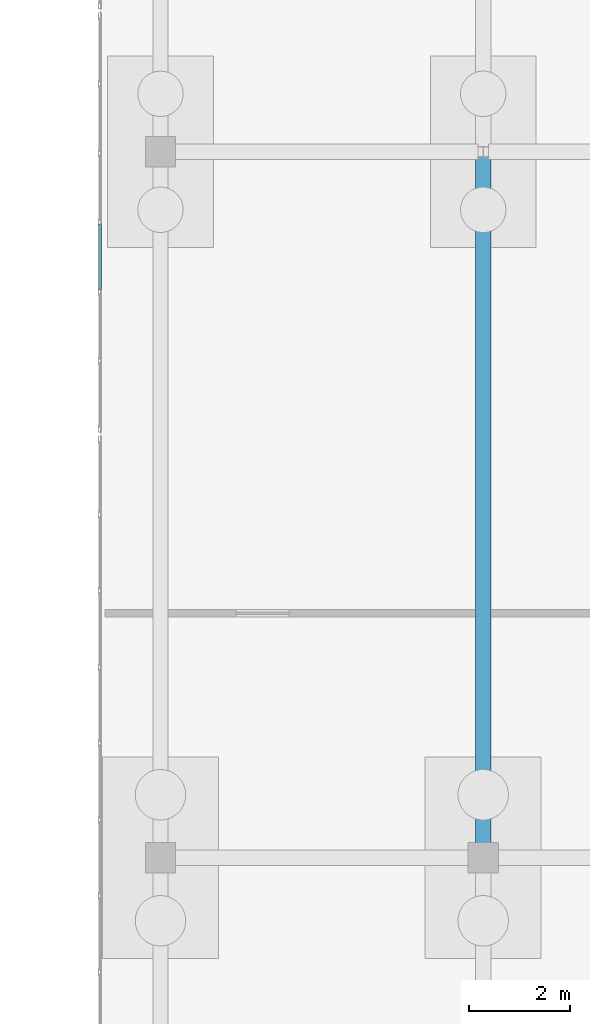
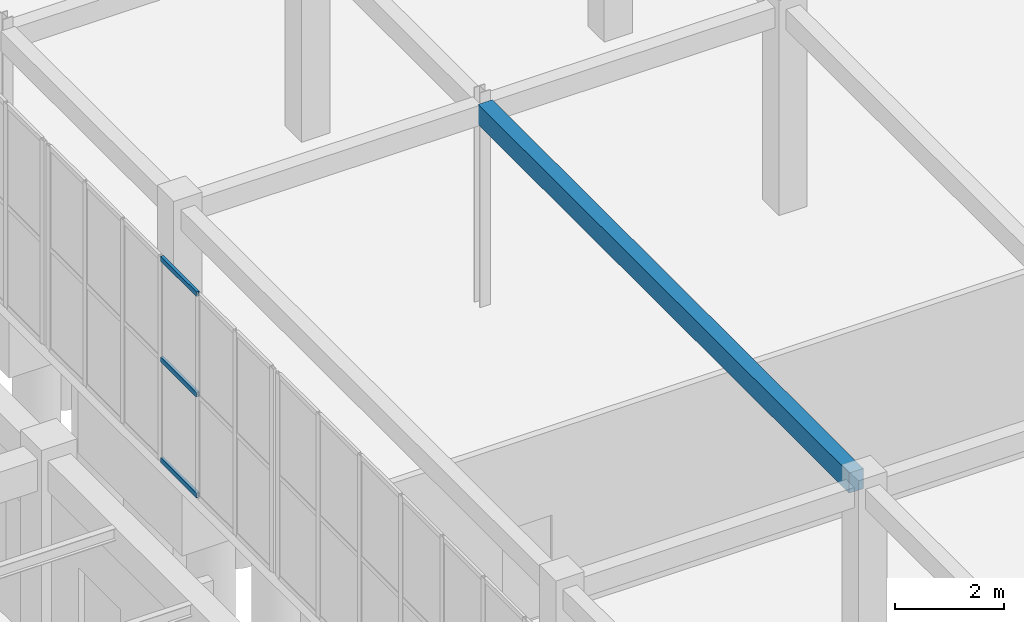
# One storey, part 85 of 192: 3 members, 1 beam, 1 element without a shape of its own.
"""IFC4 building model written with IfcOpenShell, lengths in metres."""

from ifc_helpers import new_model, si_unit, direction, frame, origin, origin_2d, place, context, subcontext, project, spatial, rectangle, hollow_rectangle, extrude, material, layer, layer_set, material_profile, profile_set, type_object, element, aggregate, save


model = new_model("IFC4")

# Units and contexts
model_context = context("Model", 3, precision=1e-05, world=origin(), true_north=direction((0.0, 1.0)))
body_context = subcontext(model_context, "Body", "Model", "MODEL_VIEW")
ifc_project = project(units=[si_unit("LENGTHUNIT", "METRE"), si_unit("AREAUNIT", "SQUARE_METRE"), si_unit("VOLUMEUNIT", "CUBIC_METRE"), si_unit("PLANEANGLEUNIT", "RADIAN"), si_unit("MASSUNIT", "GRAM", prefix="KILO")], contexts=[model_context])

# Site, building, storey
site_placement = place(None, origin())
site = spatial("IfcSite", under=ifc_project, at=site_placement, CompositionType="ELEMENT")
building_placement = place(site_placement, origin())
building = spatial("IfcBuilding", under=site, at=building_placement, Name="Trelvath General Hospital", CompositionType="ELEMENT")
storey_placement = place(building_placement, origin())
storey = spatial("IfcBuildingStorey", under=building, at=storey_placement, Name="L00", CompositionType="ELEMENT", Elevation=0.0)

# Beam
ifc_material_1 = material(Name="Concrete C35/45", Category="concrete")
ifc_material_profile_1 = material_profile(ifc_material_1, rectangle(XDim=0.300048828125, YDim=0.449951171875, at=origin_2d()), Name="RCB300x450")
ifc_profile_set_1 = profile_set([ifc_material_profile_1], Name="Concrete C35/45")
beam_type = type_object("IfcBeamType", Name="Beam RC300x450", PredefinedType="BEAM", material=ifc_profile_set_1)
beam_placement = place(storey_placement, frame((54.39990234375, 59.095947265625, 4.3349609375), z_axis=(0.0, 1.0, 0.0), x_axis=(-1.0, 0.0, 0.0)))
element("IfcBeam", 1, at=beam_placement, inside=storey, type_object=beam_type, Name="Cube Interior Ring Beam CUBE-W-T0 L00", PredefinedType="BEAM", context=body_context, shape_type="SweptSolid", body=[
    extrude(rectangle(XDim=0.300048828125, YDim=0.449951171875, at=origin_2d()), origin(), (0.0, 0.0, 1.0), 13.59814453125),
])

# Curtain wall, members
ifc_material_2 = material(Name="Anodised aluminium and low-E glass", Category="aluminium")
ifc_layer = layer(ifc_material_2, 0.139892578125)
ifc_layer_set = layer_set([ifc_layer], Name="Anodised aluminium and low-E glass")
curtain_wall_type = type_object("IfcCurtainWallType", Name="CW CrystalCube 824 456 14", PredefinedType="USERDEFINED", material=ifc_layer_set)
curtain_wall_placement = place(storey_placement, origin())
curtain_wall = element("IfcCurtainWall", 2, at=curtain_wall_placement, inside=storey, type_object=curtain_wall_type, Name="Crystal Cube Curtain Wall CUBE-W-T0 W5 L00", ObjectType="Unitised Glazed Curtain Wall", PredefinedType="USERDEFINED")
ifc_material_3 = material(Name="Anodised aluminium", Category="aluminium")
ifc_material_profile_2 = material_profile(ifc_material_3, hollow_rectangle(XDim=0.06005859375, YDim=0.110107421875, WallThickness=0.00390625, at=origin_2d()), Name="RHS60x110x4")
ifc_profile_set_2 = profile_set([ifc_material_profile_2], Name="Anodised aluminium")
member_type = type_object("IfcMemberType", Name="CurtainTransom 60x110", PredefinedType="USERDEFINED", material=ifc_profile_set_2)
member_1_placement = place(storey_placement, frame((46.800048828125, 70.056640625, 0.030029296875), z_axis=(0.0, 1.0, 0.0), x_axis=(-1.0, 0.0, 0.0)))
member_1 = element("IfcMember", 3, at=member_1_placement, type_object=member_type, Name="CW-100 transom 3.1", ObjectType="TRANSOM", PredefinedType="USERDEFINED", context=body_context, shape_type="SweptSolid", body=[
    extrude(hollow_rectangle(XDim=0.06005859375, YDim=0.110107421875, WallThickness=0.00390625, at=origin_2d()), origin(), (0.0, 0.0, 1.0), 1.3134765625),
])
member_2_placement = place(storey_placement, frame((46.800048828125, 70.056640625, 2.280029296875), z_axis=(0.0, 1.0, 0.0), x_axis=(-1.0, 0.0, 0.0)))
member_2 = element("IfcMember", 4, at=member_2_placement, type_object=member_type, Name="CW-100 transom 3.2", ObjectType="TRANSOM", PredefinedType="USERDEFINED", context=body_context, shape_type="SweptSolid", body=[
    extrude(hollow_rectangle(XDim=0.06005859375, YDim=0.110107421875, WallThickness=0.00390625, at=origin_2d()), origin(), (0.0, 0.0, 1.0), 1.3134765625),
])
member_3_placement = place(storey_placement, frame((46.800048828125, 70.056640625, 4.530029296875), z_axis=(0.0, 1.0, 0.0), x_axis=(-1.0, 0.0, 0.0)))
member_3 = element("IfcMember", 5, at=member_3_placement, type_object=member_type, Name="CW-100 transom 3.3", ObjectType="TRANSOM", PredefinedType="USERDEFINED", context=body_context, shape_type="SweptSolid", body=[
    extrude(hollow_rectangle(XDim=0.06005859375, YDim=0.110107421875, WallThickness=0.00390625, at=origin_2d()), origin(), (0.0, 0.0, 1.0), 1.3134765625),
])
aggregate(curtain_wall, [member_1, member_2, member_3])

save(model, "model.ifc")
